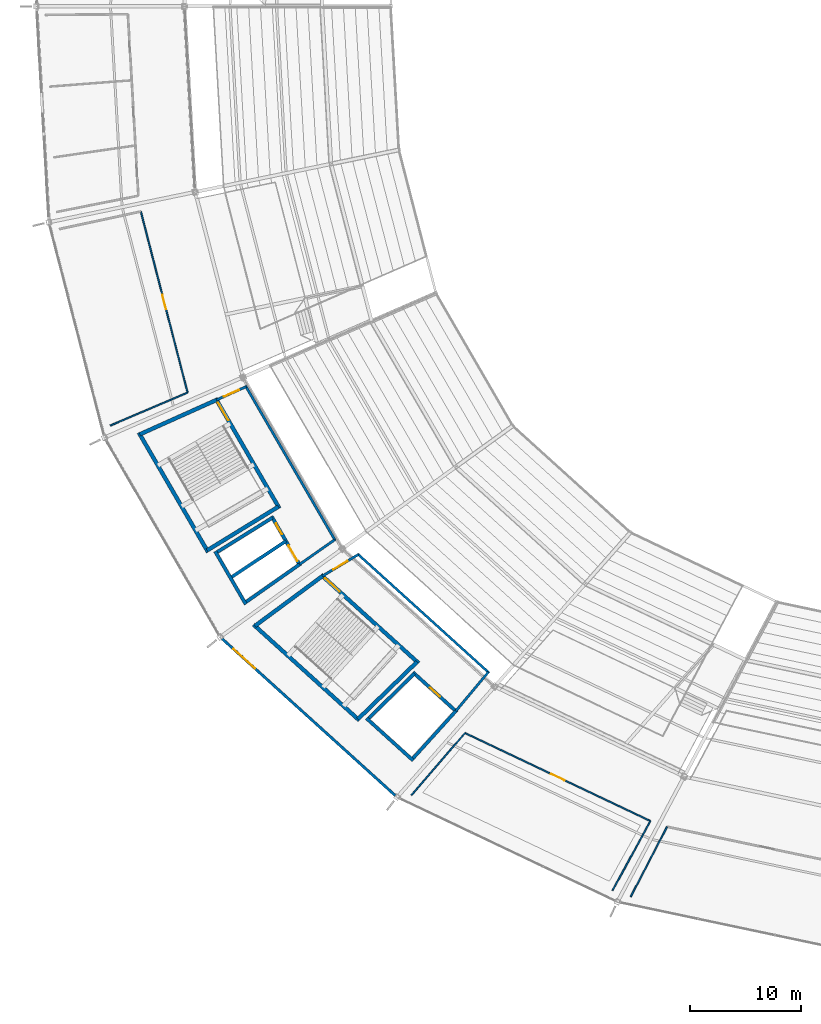
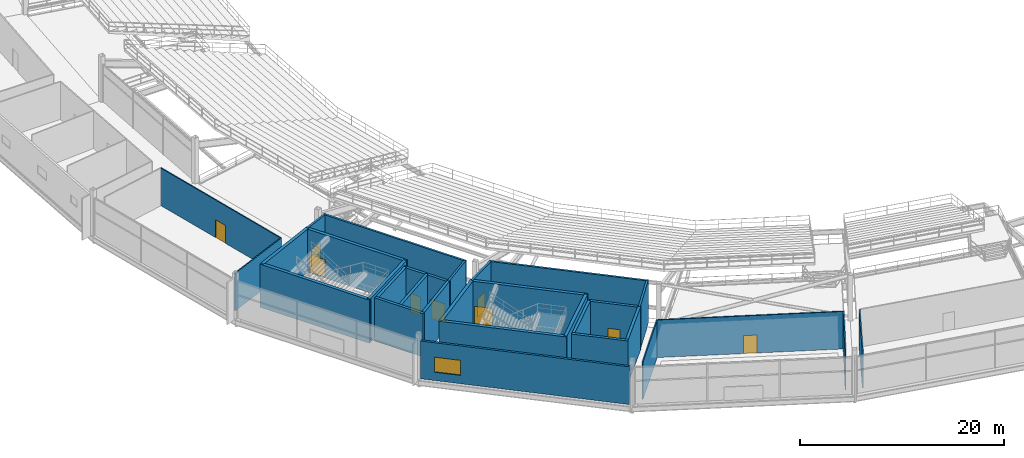
# One storey, part 125 of 186: 30 walls, 9 doors, 1 window, 10 openings.
"""IFC4 building model written with IfcOpenShell, lengths in metres."""

from ifc_helpers import new_model, si_unit, direction, frame, frame_2d, origin, place, context, subcontext, project, spatial, rectangle, extrude, material, layer, layer_set, type_object, element, fill, save


model = new_model("IFC4")

# Units and contexts
model_context = context("Model", 3, precision=1e-05, world=origin(), true_north=direction((0.0, 1.0)))
body_context = subcontext(model_context, "Body", "Model", "MODEL_VIEW")
ifc_project = project(units=[si_unit("LENGTHUNIT", "METRE"), si_unit("AREAUNIT", "SQUARE_METRE"), si_unit("VOLUMEUNIT", "CUBIC_METRE"), si_unit("PLANEANGLEUNIT", "RADIAN"), si_unit("MASSUNIT", "GRAM", prefix="KILO")], contexts=[model_context])

# Site, building, storey
site_placement = place(None, origin())
site = spatial("IfcSite", under=ifc_project, at=site_placement, CompositionType="ELEMENT")
building_placement = place(site_placement, origin())
building = spatial("IfcBuilding", under=site, at=building_placement, Name="Kazemori Nagisa Stadium", CompositionType="ELEMENT")
storey_placement = place(building_placement, frame((0.0, 0.0, 20.39990234375)))
storey = spatial("IfcBuildingStorey", under=building, at=storey_placement, Name="L04", CompositionType="ELEMENT", Elevation=20.39990234375)

# Wall, opening, door
ifc_material_1 = material(Name="Concrete C40/50 (Fc42)", Category="concrete")
ifc_layer_1 = layer(ifc_material_1, 0.35009765625, Name="Concrete C40/50 (Fc42)", Category="concrete")
ifc_layer_set_1 = layer_set([ifc_layer_1], Name="Concrete C40/50 (Fc42)")
wall_type_1 = type_object("IfcWallType", Name="Wall_W-CORE-350", PredefinedType="SHEAR", material=ifc_layer_set_1)
wall_1_placement = place(storey_placement, frame((44.090087890625, 66.78759765625, 0.0), z_axis=(0.0, 0.0, 1.0), x_axis=(0.501628624814, -0.865083072755, 0.0)))
wall_1 = element("IfcWall", 1, at=wall_1_placement, inside=storey, type_object=wall_type_1, Name="Core stair front shear wall ST09 L04", PredefinedType="SHEAR", context=body_context, shape_type="SweptSolid", body=[
    extrude(rectangle(XDim=11.435302734375, YDim=0.35009765625, at=frame_2d((5.7177734375, 0.0))), origin(), (0.0, 0.0, 1.0), 5.18017578125),
])
opening_1_placement = place(wall_1_placement, frame((0.47509765625, 0.0, 0.0)))
opening_1 = element("IfcOpeningElement", 2, at=opening_1_placement, cuts=wall_1, Name="Opening D-ST-1800", PredefinedType="OPENING", context=body_context, shape_type="SweptSolid", body=[
    extrude(rectangle(XDim=1.800048828125, YDim=2.199951171875, at=frame_2d((0.89990234375, 1.10009765625))), frame((0.0, 0.18505859375, 0.0), z_axis=(0.0, -1.0, 0.0), x_axis=(1.0, 0.0, 0.0)), (0.0, 0.0, 1.0), 0.3701171875),
])
ifc_material_2 = material(Name="Galvanised steel sheet", Category="steel")
door_type_1 = type_object("IfcDoorType", Name="Door_D-ST-1800", OperationType="NOTDEFINED", PredefinedType="DOOR", material=ifc_material_2)
door_1_placement = place(opening_1_placement, frame((1.800048828125, 0.0, 0.0), z_axis=(0.0, 0.0, 1.0), x_axis=(-1.0, 0.0, 0.0)))
door_1 = element("IfcDoor", 3, at=door_1_placement, inside=storey, type_object=door_type_1, Name="Exit stair fire door ST09-L04", OperationType="SINGLE_SWING_LEFT", OverallHeight=2.199951171875, OverallWidth=1.800048828125, PredefinedType="DOOR", context=body_context, shape_type="SweptSolid", body=[
    extrude(rectangle(XDim=1.800048828125, YDim=2.199951171875, at=frame_2d((0.89990234375, 1.10009765625))), frame((0.0, 0.02490234375, 0.0), z_axis=(0.0, -1.0, 0.0), x_axis=(1.0, 0.0, 0.0)), (0.0, 0.0, 1.0), 0.050048828125),
])
fill(opening_1, door_1)

# Walls
wall_2_placement = place(storey_placement, frame((37.19775390625, 63.6953125, 0.0), z_axis=(0.0, 0.0, 1.0), x_axis=(0.501601740165, -0.865098661577, 0.0)))
element("IfcWall", 4, at=wall_2_placement, inside=storey, type_object=wall_type_1, Name="Core stair rear shear wall ST09 L04", PredefinedType="SHEAR", context=body_context, shape_type="SweptSolid", body=[
    extrude(rectangle(XDim=12.404541015625, YDim=0.35009765625, at=frame_2d((6.2021484375, 0.0))), origin(), (0.0, 0.0, 1.0), 5.18017578125),
])
wall_3_placement = place(storey_placement, frame((44.177978515625, 66.63623046875, 0.0), z_axis=(0.0, 0.0, 1.0), x_axis=(-0.912385324524, -0.409332407212, 0.0)))
element("IfcWall", 5, at=wall_3_placement, inside=storey, type_object=wall_type_1, Name="Core stair left shear wall ST09 L04", PredefinedType="SHEAR", context=body_context, shape_type="SweptSolid", body=[
    extrude(rectangle(XDim=7.554443359375, YDim=0.35009765625, at=frame_2d((3.77734375, 0.0))), origin(), (0.0, 0.0, 1.0), 5.18017578125),
])
wall_4_placement = place(storey_placement, frame((49.738525390625, 57.04638671875, 0.0), z_axis=(0.0, 0.0, 1.0), x_axis=(-0.852334575619, -0.522996913188, 0.0)))
element("IfcWall", 6, at=wall_4_placement, inside=storey, type_object=wall_type_1, Name="Core stair right shear wall ST09 L04", PredefinedType="SHEAR", context=body_context, shape_type="SweptSolid", body=[
    extrude(rectangle(XDim=7.51611328125, YDim=0.35009765625, at=frame_2d((3.758056640625, 0.0))), origin(), (0.0, 0.0, 1.0), 5.18017578125),
])

# Wall, opening, door
wall_5_placement = place(storey_placement, frame((53.561279296875, 50.927978515625, 0.0), z_axis=(0.0, 0.0, 1.0), x_axis=(0.741358227035, -0.671109513572, 0.0)))
wall_5 = element("IfcWall", 7, at=wall_5_placement, inside=storey, type_object=wall_type_1, Name="Core stair front shear wall ST03 L04", PredefinedType="SHEAR", context=body_context, shape_type="SweptSolid", body=[
    extrude(rectangle(XDim=11.82666015625, YDim=0.35009765625, at=frame_2d((5.913330078125, 0.0))), origin(), (0.0, 0.0, 1.0), 5.18017578125),
])
opening_2_placement = place(wall_5_placement, frame((0.47509765625, 0.0, 0.0)))
opening_2 = element("IfcOpeningElement", 8, at=opening_2_placement, cuts=wall_5, Name="Opening D-ST-1800", PredefinedType="OPENING", context=body_context, shape_type="SweptSolid", body=[
    extrude(rectangle(XDim=1.800048828125, YDim=2.199951171875, at=frame_2d((0.89990234375, 1.10009765625))), frame((0.0, 0.18505859375, 0.0), z_axis=(0.0, -1.0, 0.0), x_axis=(1.0, 0.0, 0.0)), (0.0, 0.0, 1.0), 0.3701171875),
])
door_2_placement = place(opening_2_placement, frame((1.800048828125, 0.0, 0.0), z_axis=(0.0, 0.0, 1.0), x_axis=(-1.0, 0.0, 0.0)))
door_2 = element("IfcDoor", 9, at=door_2_placement, inside=storey, type_object=door_type_1, Name="Exit stair fire door ST03-L04", OperationType="SINGLE_SWING_LEFT", OverallHeight=2.199951171875, OverallWidth=1.800048828125, PredefinedType="DOOR", context=body_context, shape_type="SweptSolid", body=[
    extrude(rectangle(XDim=1.800048828125, YDim=2.199951171875, at=frame_2d((0.89990234375, 1.10009765625))), frame((0.0, 0.02490234375, 0.0), z_axis=(0.0, -1.0, 0.0), x_axis=(1.0, 0.0, 0.0)), (0.0, 0.0, 1.0), 0.050048828125),
])
fill(opening_2, door_2)

# Walls
wall_6_placement = place(storey_placement, frame((47.500732421875, 46.451904296875, 0.0), z_axis=(0.0, 0.0, 1.0), x_axis=(0.741351373721, -0.671117084183, 0.0)))
element("IfcWall", 10, at=wall_6_placement, inside=storey, type_object=wall_type_1, Name="Core stair rear shear wall ST03 L04", PredefinedType="SHEAR", context=body_context, shape_type="SweptSolid", body=[
    extrude(rectangle(XDim=12.830322265625, YDim=0.35009765625, at=frame_2d((6.4150390625, 0.0))), origin(), (0.0, 0.0, 1.0), 5.18017578125),
])
wall_7_placement = place(storey_placement, frame((53.691162109375, 50.810546875, 0.0), z_axis=(0.0, 0.0, 1.0), x_axis=(-0.804395625347, -0.594093997548, 0.0)))
element("IfcWall", 11, at=wall_7_placement, inside=storey, type_object=wall_type_1, Name="Core stair left shear wall ST03 L04", PredefinedType="SHEAR", context=body_context, shape_type="SweptSolid", body=[
    extrude(rectangle(XDim=7.5341796875, YDim=0.35009765625, at=frame_2d((3.76708984375, 0.0))), origin(), (0.0, 0.0, 1.0), 5.18017578125),
])
wall_8_placement = place(storey_placement, frame((62.199462890625, 43.1083984375, 0.0), z_axis=(0.0, 0.0, 1.0), x_axis=(-0.718297398554, -0.69573619083, 0.0)))
element("IfcWall", 12, at=wall_8_placement, inside=storey, type_object=wall_type_1, Name="Core stair right shear wall ST03 L04", PredefinedType="SHEAR", context=body_context, shape_type="SweptSolid", body=[
    extrude(rectangle(XDim=7.40185546875, YDim=0.35009765625, at=frame_2d((3.700927734375, 0.0))), origin(), (0.0, 0.0, 1.0), 5.18017578125),
])

# Wall, opening, window
ifc_material_3 = material(Name="Steel S355 (SN490B)", Category="steel")
ifc_layer_2 = layer(ifc_material_3, 0.239990234375, Name="Steel S355 (SN490B)", Category="steel")
ifc_layer_set_2 = layer_set([ifc_layer_2], Name="Steel S355 (SN490B)")
wall_type_2 = type_object("IfcWallType", Name="Wall_W-EXT-240", PredefinedType="SOLIDWALL", material=ifc_layer_set_2)
wall_9_placement = place(storey_placement, frame((44.667724609375, 45.184814453125, 0.0), z_axis=(0.0, 0.0, 1.0), x_axis=(0.741349049196, -0.671119651967, 0.0)))
wall_9 = element("IfcWall", 13, at=wall_9_placement, inside=storey, type_object=wall_type_2, Name="Exterior facade wall L04-18", PredefinedType="SOLIDWALL", context=body_context, shape_type="SweptSolid", body=[
    extrude(rectangle(XDim=21.00390625, YDim=0.239990234375, at=frame_2d((10.501953125, 0.0))), origin(), (0.0, 0.0, 1.0), 4.530029296875),
])
opening_3_placement = place(wall_9_placement, frame((1.39990234375, 0.0, 1.0)))
opening_3 = element("IfcOpeningElement", 14, at=opening_3_placement, cuts=wall_9, Name="Opening WIN-L04-2600", PredefinedType="OPENING", context=body_context, shape_type="SweptSolid", body=[
    extrude(rectangle(XDim=2.60009765625, YDim=1.800048828125, at=frame_2d((1.300048828125, 0.89990234375))), frame((0.0, 0.1298828125, 0.0), z_axis=(0.0, -1.0, 0.0), x_axis=(1.0, 0.0, 0.0)), (0.0, 0.0, 1.0), 0.260009765625),
])
ifc_material_4 = material(Name="Low-e laminated double glazing", Category="glass")
window_type = type_object("IfcWindowType", Name="Window_WIN-L04-2600", PartitioningType="SINGLE_PANEL", PredefinedType="WINDOW", material=ifc_material_4)
window_placement = place(opening_3_placement, origin())
window = element("IfcWindow", 15, at=window_placement, inside=storey, type_object=window_type, Name="Core lobby window L04-18", OverallHeight=1.800048828125, OverallWidth=2.60009765625, PartitioningType="SINGLE_PANEL", PredefinedType="WINDOW", context=body_context, shape_type="SweptSolid", body=[
    extrude(rectangle(XDim=2.60009765625, YDim=1.800048828125, at=frame_2d((1.300048828125, 0.89990234375))), frame((0.0, 0.030029296875, 0.0), z_axis=(0.0, -1.0, 0.0), x_axis=(1.0, 0.0, 0.0)), (0.0, 0.0, 1.0), 0.06005859375),
])
fill(opening_3, window)

# Wall
ifc_material_5 = material(Name="Concrete C36/45 (Fc36)", Category="concrete")
ifc_layer_3 = layer(ifc_material_5, 0.219970703125, Name="Concrete C36/45 (Fc36)", Category="concrete")
ifc_layer_set_3 = layer_set([ifc_layer_3], Name="Concrete C36/45 (Fc36)")
wall_type_3 = type_object("IfcWallType", Name="Wall_W-LOBBY-220", PredefinedType="SOLIDWALL", material=ifc_layer_set_3)
wall_10_placement = place(storey_placement, frame((46.773681640625, 67.9208984375, 0.0), z_axis=(0.0, 0.0, 1.0), x_axis=(0.501612626242, -0.865092349518, 0.0)))
element("IfcWall", 16, at=wall_10_placement, inside=storey, type_object=wall_type_3, Name="Core lobby fire wall ST09 L04", PredefinedType="SOLIDWALL", context=body_context, shape_type="SweptSolid", body=[
    extrude(rectangle(XDim=16.110107421875, YDim=0.219970703125, at=frame_2d((8.05517578125, 0.0))), origin(), (0.0, 0.0, 1.0), 5.18017578125),
])

# Wall, opening, door
wall_11_placement = place(storey_placement, frame((46.8291015625, 67.82568359375, 0.0), z_axis=(0.0, 0.0, 1.0), x_axis=(-0.912378422162, -0.409347791949, 0.0)))
wall_11 = element("IfcWall", 17, at=wall_11_placement, inside=storey, type_object=wall_type_3, Name="Core lobby left wall ST09 L04", PredefinedType="SOLIDWALL", context=body_context, shape_type="SweptSolid", body=[
    extrude(rectangle(XDim=2.90576171875, YDim=0.219970703125, at=frame_2d((1.452880859375, 0.0))), origin(), (0.0, 0.0, 1.0), 5.18017578125),
])
opening_4_placement = place(wall_11_placement, frame((0.702880859375, 0.0, 0.0)))
opening_4 = element("IfcOpeningElement", 18, at=opening_4_placement, cuts=wall_11, Name="Opening D-FFL-1500", PredefinedType="OPENING", context=body_context, shape_type="SweptSolid", body=[
    extrude(rectangle(XDim=1.5, YDim=2.199951171875, at=frame_2d((0.75, 1.10009765625))), frame((0.0, 0.119873046875, 0.0), z_axis=(0.0, -1.0, 0.0), x_axis=(1.0, 0.0, 0.0)), (0.0, 0.0, 1.0), 0.239990234375),
])
door_type_2 = type_object("IfcDoorType", Name="Door_D-FFL-1500", OperationType="NOTDEFINED", PredefinedType="DOOR", material=ifc_material_2)
door_3_placement = place(opening_4_placement, frame((1.5, 0.0, 0.0), z_axis=(0.0, 0.0, 1.0), x_axis=(-1.0, 0.0, 0.0)))
door_3 = element("IfcDoor", 19, at=door_3_placement, inside=storey, type_object=door_type_2, Name="Protected lobby fire door ST09-L04", OperationType="DOUBLE_DOOR_SINGLE_SWING", OverallHeight=2.199951171875, OverallWidth=1.5, PredefinedType="DOOR", context=body_context, shape_type="SweptSolid", body=[
    extrude(rectangle(XDim=1.5, YDim=2.199951171875, at=frame_2d((0.75, 1.10009765625))), frame((0.0, 0.02490234375, 0.0), z_axis=(0.0, -1.0, 0.0), x_axis=(1.0, 0.0, 0.0)), (0.0, 0.0, 1.0), 0.050048828125),
])
fill(opening_4, door_3)

# Walls
wall_12_placement = place(storey_placement, frame((54.799560546875, 54.0791015625, 0.0), z_axis=(0.0, 0.0, 1.0), x_axis=(-0.818225400643, -0.574897550649, 0.0)))
element("IfcWall", 20, at=wall_12_placement, inside=storey, type_object=wall_type_3, Name="Core lobby right wall ST09 L04", PredefinedType="SOLIDWALL", context=body_context, shape_type="SweptSolid", body=[
    extrude(rectangle(XDim=3.867919921875, YDim=0.219970703125, at=frame_2d((1.93408203125, 0.0))), origin(), (0.0, 0.0, 1.0), 5.18017578125),
])
wall_13_placement = place(storey_placement, frame((56.833740234375, 52.8193359375, 0.0), z_axis=(0.0, 0.0, 1.0), x_axis=(0.741351035574, -0.671117457717, 0.0)))
element("IfcWall", 21, at=wall_13_placement, inside=storey, type_object=wall_type_3, Name="Core lobby fire wall ST03 L04", PredefinedType="SOLIDWALL", context=body_context, shape_type="SweptSolid", body=[
    extrude(rectangle(XDim=15.96923828125, YDim=0.219970703125, at=frame_2d((7.984619140625, 0.0))), origin(), (0.0, 0.0, 1.0), 5.18017578125),
])

# Wall, opening, door
wall_14_placement = place(storey_placement, frame((56.915283203125, 52.74560546875, 0.0), z_axis=(0.0, 0.0, 1.0), x_axis=(-0.857424171966, -0.514610327654, 0.0)))
wall_14 = element("IfcWall", 22, at=wall_14_placement, inside=storey, type_object=wall_type_3, Name="Core lobby left wall ST03 L04", PredefinedType="SOLIDWALL", context=body_context, shape_type="SweptSolid", body=[
    extrude(rectangle(XDim=3.76025390625, YDim=0.219970703125, at=frame_2d((1.880126953125, 0.0))), origin(), (0.0, 0.0, 1.0), 5.18017578125),
])
opening_5_placement = place(wall_14_placement, frame((1.1298828125, 0.0, 0.0)))
opening_5 = element("IfcOpeningElement", 23, at=opening_5_placement, cuts=wall_14, Name="Opening D-FFL-1500", PredefinedType="OPENING", context=body_context, shape_type="SweptSolid", body=[
    extrude(rectangle(XDim=1.5, YDim=2.199951171875, at=frame_2d((0.75, 1.10009765625))), frame((0.0, 0.119873046875, 0.0), z_axis=(0.0, -1.0, 0.0), x_axis=(1.0, 0.0, 0.0)), (0.0, 0.0, 1.0), 0.239990234375),
])
door_4_placement = place(opening_5_placement, frame((1.5, 0.0, 0.0), z_axis=(0.0, 0.0, 1.0), x_axis=(-1.0, 0.0, 0.0)))
door_4 = element("IfcDoor", 24, at=door_4_placement, inside=storey, type_object=door_type_2, Name="Protected lobby fire door ST03-L04", OperationType="DOUBLE_DOOR_SINGLE_SWING", OverallHeight=2.199951171875, OverallWidth=1.5, PredefinedType="DOOR", context=body_context, shape_type="SweptSolid", body=[
    extrude(rectangle(XDim=1.5, YDim=2.199951171875, at=frame_2d((0.75, 1.10009765625))), frame((0.0, 0.02490234375, 0.0), z_axis=(0.0, -1.0, 0.0), x_axis=(1.0, 0.0, 0.0)), (0.0, 0.0, 1.0), 0.050048828125),
])
fill(opening_5, door_4)

# Wall
wall_15_placement = place(storey_placement, frame((68.591064453125, 42.176025390625, 0.0), z_axis=(0.0, 0.0, 1.0), x_axis=(-0.640759627034, -0.767741558315, 0.0)))
element("IfcWall", 25, at=wall_15_placement, inside=storey, type_object=wall_type_3, Name="Core lobby right wall ST03 L04", PredefinedType="SOLIDWALL", context=body_context, shape_type="SweptSolid", body=[
    extrude(rectangle(XDim=4.549072265625, YDim=0.219970703125, at=frame_2d((2.2744140625, 0.0))), origin(), (0.0, 0.0, 1.0), 5.18017578125),
])

# Wall, opening, door
ifc_material_6 = material(Name="Gypsum plasterboard", Category="gypsum")
ifc_layer_4 = layer(ifc_material_6, 0.125, Name="Gypsum plasterboard", Category="gypsum")
ifc_layer_set_4 = layer_set([ifc_layer_4], Name="Gypsum plasterboard")
wall_type_4 = type_object("IfcWallType", Name="Wall_W-PART-125", PredefinedType="PARTITIONING", material=ifc_layer_set_4)
wall_16_placement = place(storey_placement, frame((37.37548828125, 83.56298828125, 0.0), z_axis=(0.0, 0.0, 1.0), x_axis=(0.249966328054, -0.968254529986, 0.0)))
wall_16 = element("IfcWall", 26, at=wall_16_placement, inside=storey, type_object=wall_type_4, Name="Room corridor partition L04-B16", PredefinedType="PARTITIONING", context=body_context, shape_type="SweptSolid", body=[
    extrude(rectangle(XDim=16.805908203125, YDim=0.125, at=frame_2d((8.40283203125, 0.0))), origin(), (0.0, 0.0, 1.0), 4.5),
])
opening_6_placement = place(wall_16_placement, frame((7.72802734375, 0.0, 0.0)))
opening_6 = element("IfcOpeningElement", 27, at=opening_6_placement, cuts=wall_16, Name="Opening D-CON-1350", PredefinedType="OPENING", context=body_context, shape_type="SweptSolid", body=[
    extrude(rectangle(XDim=1.35009765625, YDim=2.14990234375, at=frame_2d((0.675048828125, 1.074951171875))), frame((0.0, 0.072509765625, 0.0), z_axis=(0.0, -1.0, 0.0), x_axis=(1.0, 0.0, 0.0)), (0.0, 0.0, 1.0), 0.14501953125),
])
ifc_material_7 = material(Name="Anodised aluminium 6063-T5", Category="aluminium")
door_type_3 = type_object("IfcDoorType", Name="Door_D-CON-1350", OperationType="NOTDEFINED", PredefinedType="DOOR", material=ifc_material_7)
door_5_placement = place(opening_6_placement, origin())
door_5 = element("IfcDoor", 28, at=door_5_placement, inside=storey, type_object=door_type_3, Name="Room entrance door D-CON-1350 L04-B16", OperationType="SINGLE_SWING_RIGHT", OverallHeight=2.14990234375, OverallWidth=1.35009765625, PredefinedType="DOOR", context=body_context, shape_type="SweptSolid", body=[
    extrude(rectangle(XDim=1.35009765625, YDim=2.14990234375, at=frame_2d((0.675048828125, 1.074951171875))), frame((0.0, 0.02490234375, 0.0), z_axis=(0.0, -1.0, 0.0), x_axis=(1.0, 0.0, 0.0)), (0.0, 0.0, 1.0), 0.050048828125),
])
fill(opening_6, door_5)

# Wall
wall_17_placement = place(storey_placement, frame((41.576416015625, 67.29052734375, 0.0), z_axis=(0.0, 0.0, 1.0), x_axis=(-0.919898990597, -0.39215538642, 0.0)))
element("IfcWall", 29, at=wall_17_placement, inside=storey, type_object=wall_type_4, Name="Room radial partition L04-B16-R", PredefinedType="PARTITIONING", context=body_context, shape_type="SweptSolid", body=[
    extrude(rectangle(XDim=7.553466796875, YDim=0.125, at=frame_2d((3.77685546875, 0.0))), origin(), (0.0, 0.0, 1.0), 4.5),
])

# Wall, opening, door
wall_18_placement = place(storey_placement, frame((66.509033203125, 36.708251953125, 0.0), z_axis=(0.0, 0.0, 1.0), x_axis=(0.90321677741, -0.429184637429, 0.0)))
wall_18 = element("IfcWall", 30, at=wall_18_placement, inside=storey, type_object=wall_type_4, Name="Room corridor partition L04-B19", PredefinedType="PARTITIONING", context=body_context, shape_type="SweptSolid", body=[
    extrude(rectangle(XDim=18.42724609375, YDim=0.125, at=frame_2d((9.213623046875, 0.0))), origin(), (0.0, 0.0, 1.0), 4.5),
])
opening_7_placement = place(wall_18_placement, frame((8.5390625, 0.0, 0.0)))
opening_7 = element("IfcOpeningElement", 31, at=opening_7_placement, cuts=wall_18, Name="Opening D-CON-1350", PredefinedType="OPENING", context=body_context, shape_type="SweptSolid", body=[
    extrude(rectangle(XDim=1.35009765625, YDim=2.14990234375, at=frame_2d((0.675048828125, 1.074951171875))), frame((0.0, 0.072509765625, 0.0), z_axis=(0.0, -1.0, 0.0), x_axis=(1.0, 0.0, 0.0)), (0.0, 0.0, 1.0), 0.14501953125),
])
door_6_placement = place(opening_7_placement, origin())
door_6 = element("IfcDoor", 32, at=door_6_placement, inside=storey, type_object=door_type_3, Name="Room entrance door D-CON-1350 L04-B19", OperationType="SINGLE_SWING_LEFT", OverallHeight=2.14990234375, OverallWidth=1.35009765625, PredefinedType="DOOR", context=body_context, shape_type="SweptSolid", body=[
    extrude(rectangle(XDim=1.35009765625, YDim=2.14990234375, at=frame_2d((0.675048828125, 1.074951171875))), frame((0.0, 0.02490234375, 0.0), z_axis=(0.0, -1.0, 0.0), x_axis=(1.0, 0.0, 0.0)), (0.0, 0.0, 1.0), 0.050048828125),
])
fill(opening_7, door_6)

# Walls
wall_19_placement = place(storey_placement, frame((66.509033203125, 36.708251953125, 0.0), z_axis=(0.0, 0.0, 1.0), x_axis=(-0.654288201841, -0.7562452968, 0.0)))
element("IfcWall", 33, at=wall_19_placement, inside=storey, type_object=wall_type_4, Name="Room radial partition L04-B19-L", PredefinedType="PARTITIONING", context=body_context, shape_type="SweptSolid", body=[
    extrude(rectangle(XDim=7.367919921875, YDim=0.125, at=frame_2d((3.68408203125, 0.0))), origin(), (0.0, 0.0, 1.0), 4.5),
])
wall_20_placement = place(storey_placement, frame((83.15283203125, 28.799560546875, 0.0), z_axis=(0.0, 0.0, 1.0), x_axis=(-0.47812325427, -0.878292749444, 0.0)))
element("IfcWall", 34, at=wall_20_placement, inside=storey, type_object=wall_type_4, Name="Room radial partition L04-B19-R", PredefinedType="PARTITIONING", context=body_context, shape_type="SweptSolid", body=[
    extrude(rectangle(XDim=7.112548828125, YDim=0.125, at=frame_2d((3.55615234375, 0.0))), origin(), (0.0, 0.0, 1.0), 4.5),
])
wall_21_placement = place(storey_placement, frame((84.657958984375, 28.290283203125, 0.0), z_axis=(0.0, 0.0, 1.0), x_axis=(-0.461466568794, -0.887157599238, 0.0)))
element("IfcWall", 35, at=wall_21_placement, inside=storey, type_object=wall_type_4, Name="Room radial partition L04-B20-L", PredefinedType="PARTITIONING", context=body_context, shape_type="SweptSolid", body=[
    extrude(rectangle(XDim=7.09033203125, YDim=0.125, at=frame_2d((3.545166015625, 0.0))), origin(), (0.0, 0.0, 1.0), 4.5),
])

# Wall, openings, doors
ifc_layer_5 = layer(ifc_material_1, 0.300048828125, Name="Concrete C40/50 (Fc42)", Category="concrete")
ifc_layer_set_5 = layer_set([ifc_layer_5], Name="Concrete C40/50 (Fc42)")
wall_type_5 = type_object("IfcWallType", Name="Wall_W-SHAFT-300", PredefinedType="SHEAR", material=ifc_layer_set_5)
wall_22_placement = place(storey_placement, frame((49.123046875, 56.1875, 0.0), z_axis=(0.0, 0.0, 1.0), x_axis=(0.501629534056, -0.86508254552, 0.0)))
wall_22 = element("IfcWall", 36, at=wall_22_placement, inside=storey, type_object=wall_type_5, Name="Lift shaft front wall LP7 L04", PredefinedType="SHEAR", context=body_context, shape_type="SweptSolid", body=[
    extrude(rectangle(XDim=5.157470703125, YDim=0.300048828125, at=frame_2d((2.57861328125, 0.0))), origin(), (0.0, 0.0, 1.0), 5.18017578125),
])
opening_8_placement = place(wall_22_placement, frame((0.76611328125, 0.0, 0.0)))
opening_8 = element("IfcOpeningElement", 37, at=opening_8_placement, cuts=wall_22, Name="Opening LD-PAX", PredefinedType="OPENING", context=body_context, shape_type="SweptSolid", body=[
    extrude(rectangle(XDim=1.10009765625, YDim=2.199951171875, at=frame_2d((0.550048828125, 1.10009765625))), frame((0.0, 0.159912109375, 0.0), z_axis=(0.0, -1.0, 0.0), x_axis=(1.0, 0.0, 0.0)), (0.0, 0.0, 1.0), 0.320068359375),
])
opening_9_placement = place(wall_22_placement, frame((3.0419921875, 0.0, 0.0)))
opening_9 = element("IfcOpeningElement", 38, at=opening_9_placement, cuts=wall_22, Name="Opening LD-GDS", PredefinedType="OPENING", context=body_context, shape_type="SweptSolid", body=[
    extrude(rectangle(XDim=1.60009765625, YDim=2.300048828125, at=frame_2d((0.800048828125, 1.14990234375))), frame((0.0, 0.159912109375, 0.0), z_axis=(0.0, -1.0, 0.0), x_axis=(1.0, 0.0, 0.0)), (0.0, 0.0, 1.0), 0.320068359375),
])
ifc_material_8 = material(Name="Stainless steel SUS304", Category="steel")
door_type_4 = type_object("IfcDoorType", Name="Door_LD-GDS", OperationType="SLIDING_TO_LEFT", PredefinedType="DOOR", material=ifc_material_8)
door_7_placement = place(opening_9_placement, origin())
door_7 = element("IfcDoor", 39, at=door_7_placement, inside=storey, type_object=door_type_4, Name="Lift landing door LG2-L04", OperationType="SLIDING_TO_LEFT", OverallHeight=2.300048828125, OverallWidth=1.60009765625, PredefinedType="DOOR", context=body_context, shape_type="SweptSolid", body=[
    extrude(rectangle(XDim=1.60009765625, YDim=2.300048828125, at=frame_2d((0.800048828125, 1.14990234375))), frame((0.0, 0.02490234375, 0.0), z_axis=(0.0, -1.0, 0.0), x_axis=(1.0, 0.0, 0.0)), (0.0, 0.0, 1.0), 0.050048828125),
])
fill(opening_9, door_7)
door_type_5 = type_object("IfcDoorType", Name="Door_LD-PAX", OperationType="SLIDING_TO_RIGHT", PredefinedType="DOOR", material=ifc_material_8)
door_8_placement = place(opening_8_placement, origin())
door_8 = element("IfcDoor", 40, at=door_8_placement, inside=storey, type_object=door_type_5, Name="Lift landing door LP7-L04", OperationType="SLIDING_TO_RIGHT", OverallHeight=2.199951171875, OverallWidth=1.10009765625, PredefinedType="DOOR", context=body_context, shape_type="SweptSolid", body=[
    extrude(rectangle(XDim=1.10009765625, YDim=2.199951171875, at=frame_2d((0.550048828125, 1.10009765625))), frame((0.0, 0.02490234375, 0.0), z_axis=(0.0, -1.0, 0.0), x_axis=(1.0, 0.0, 0.0)), (0.0, 0.0, 1.0), 0.050048828125),
])
fill(opening_8, door_8)

# Walls
wall_23_placement = place(storey_placement, frame((44.05029296875, 53.029541015625, 0.0), z_axis=(0.0, 0.0, 1.0), x_axis=(0.501596987756, -0.865101417103, 0.0)))
element("IfcWall", 41, at=wall_23_placement, inside=storey, type_object=wall_type_5, Name="Lift shaft B wall LP7 L04", PredefinedType="SHEAR", context=body_context, shape_type="SweptSolid", body=[
    extrude(rectangle(XDim=5.4912109375, YDim=0.300048828125, at=frame_2d((2.74560546875, 0.0))), origin(), (0.0, 0.0, 1.0), 5.18017578125),
])
wall_24_placement = place(storey_placement, frame((49.1982421875, 56.0576171875, 0.0), z_axis=(0.0, 0.0, 1.0), x_axis=(-0.848938067893, -0.528492343257, 0.0)))
element("IfcWall", 42, at=wall_24_placement, inside=storey, type_object=wall_type_5, Name="Lift shaft L wall LP7 L04", PredefinedType="SHEAR", context=body_context, shape_type="SweptSolid", body=[
    extrude(rectangle(XDim=5.975341796875, YDim=0.300048828125, at=frame_2d((2.98779296875, 0.0))), origin(), (0.0, 0.0, 1.0), 5.18017578125),
])
wall_25_placement = place(storey_placement, frame((51.634765625, 51.85546875, 0.0), z_axis=(0.0, 0.0, 1.0), x_axis=(-0.818205158105, -0.574926359851, 0.0)))
element("IfcWall", 43, at=wall_25_placement, inside=storey, type_object=wall_type_5, Name="Lift shaft R wall LP7 L04", PredefinedType="SHEAR", context=body_context, shape_type="SweptSolid", body=[
    extrude(rectangle(XDim=5.9951171875, YDim=0.300048828125, at=frame_2d((2.99755859375, 0.0))), origin(), (0.0, 0.0, 1.0), 5.18017578125),
])
wall_26_placement = place(storey_placement, frame((50.41650390625, 53.95654296875, 0.0), z_axis=(0.0, 0.0, 1.0), x_axis=(-0.833878900042, -0.551947443209, 0.0)))
element("IfcWall", 44, at=wall_26_placement, inside=storey, type_object=wall_type_5, Name="Lift shaft divider wall LP7-LG2 L04", PredefinedType="SHEAR", context=body_context, shape_type="SweptSolid", body=[
    extrude(rectangle(XDim=5.98291015625, YDim=0.300048828125, at=frame_2d((2.991455078125, 0.0))), origin(), (0.0, 0.0, 1.0), 5.18017578125),
])

# Wall, opening, door
wall_27_placement = place(storey_placement, frame((61.8369140625, 42.159423828125, 0.0), z_axis=(0.0, 0.0, 1.0), x_axis=(0.741350155641, -0.671118429736, 0.0)))
wall_27 = element("IfcWall", 45, at=wall_27_placement, inside=storey, type_object=wall_type_5, Name="Lift shaft front wall FL3 L04", PredefinedType="SHEAR", context=body_context, shape_type="SweptSolid", body=[
    extrude(rectangle(XDim=5.3291015625, YDim=0.300048828125, at=frame_2d((2.66455078125, 0.0))), origin(), (0.0, 0.0, 1.0), 5.18017578125),
])
opening_10_placement = place(wall_27_placement, frame((2.06494140625, 0.0, 0.0)))
opening_10 = element("IfcOpeningElement", 46, at=opening_10_placement, cuts=wall_27, Name="Opening LD-FF", PredefinedType="OPENING", context=body_context, shape_type="SweptSolid", body=[
    extrude(rectangle(XDim=1.199951171875, YDim=2.199951171875, at=frame_2d((0.60009765625, 1.10009765625))), frame((0.0, 0.159912109375, 0.0), z_axis=(0.0, -1.0, 0.0), x_axis=(1.0, 0.0, 0.0)), (0.0, 0.0, 1.0), 0.320068359375),
])
door_type_6 = type_object("IfcDoorType", Name="Door_LD-FF", OperationType="SLIDING_TO_LEFT", PredefinedType="DOOR", material=ifc_material_8)
door_9_placement = place(opening_10_placement, origin())
door_9 = element("IfcDoor", 47, at=door_9_placement, inside=storey, type_object=door_type_6, Name="Lift landing door FL3-L04", OperationType="SLIDING_TO_LEFT", OverallHeight=2.199951171875, OverallWidth=1.199951171875, PredefinedType="DOOR", context=body_context, shape_type="SweptSolid", body=[
    extrude(rectangle(XDim=1.199951171875, YDim=2.199951171875, at=frame_2d((0.60009765625, 1.10009765625))), frame((0.0, 0.02490234375, 0.0), z_axis=(0.0, -1.0, 0.0), x_axis=(1.0, 0.0, 0.0)), (0.0, 0.0, 1.0), 0.050048828125),
])
fill(opening_10, door_9)

# Walls
wall_28_placement = place(storey_placement, frame((57.640380859375, 38.039306640625, 0.0), z_axis=(0.0, 0.0, 1.0), x_axis=(0.74134208775, -0.671127341815, 0.0)))
element("IfcWall", 48, at=wall_28_placement, inside=storey, type_object=wall_type_5, Name="Lift shaft B wall FL3 L04", PredefinedType="SHEAR", context=body_context, shape_type="SweptSolid", body=[
    extrude(rectangle(XDim=5.674560546875, YDim=0.300048828125, at=frame_2d((2.83740234375, 0.0))), origin(), (0.0, 0.0, 1.0), 5.18017578125),
])
wall_29_placement = place(storey_placement, frame((61.947998046875, 42.058837890625, 0.0), z_axis=(0.0, 0.0, 1.0), x_axis=(-0.713553028001, -0.700601224828, 0.0)))
element("IfcWall", 49, at=wall_29_placement, inside=storey, type_object=wall_type_5, Name="Lift shaft L wall FL3 L04", PredefinedType="SHEAR", context=body_context, shape_type="SweptSolid", body=[
    extrude(rectangle(XDim=5.881103515625, YDim=0.300048828125, at=frame_2d((2.9404296875, 0.0))), origin(), (0.0, 0.0, 1.0), 5.18017578125),
])
wall_30_placement = place(storey_placement, frame((65.67626953125, 38.68359375, 0.0), z_axis=(0.0, 0.0, 1.0), x_axis=(-0.67115829282, -0.741314067031, 0.0)))
element("IfcWall", 50, at=wall_30_placement, inside=storey, type_object=wall_type_5, Name="Lift shaft R wall FL3 L04", PredefinedType="SHEAR", context=body_context, shape_type="SweptSolid", body=[
    extrude(rectangle(XDim=5.87060546875, YDim=0.300048828125, at=frame_2d((2.935302734375, 0.0))), origin(), (0.0, 0.0, 1.0), 5.18017578125),
])

save(model, "model.ifc")
